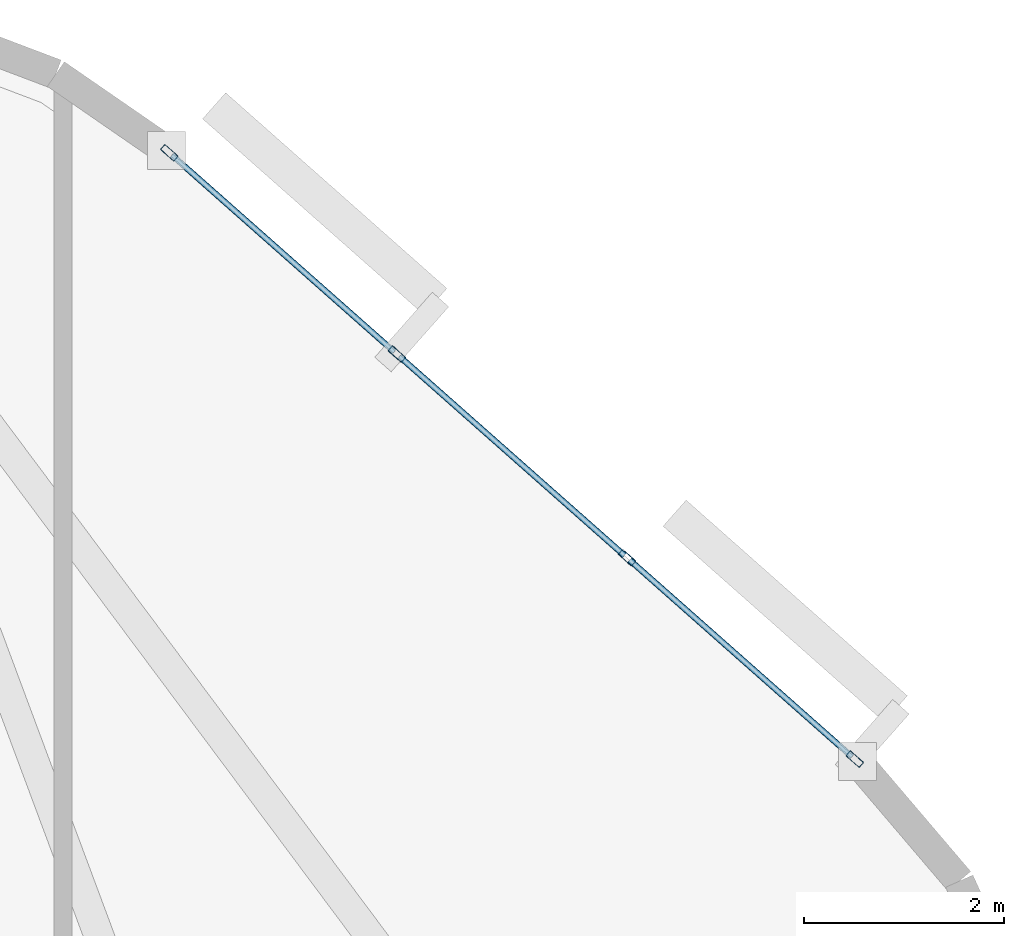
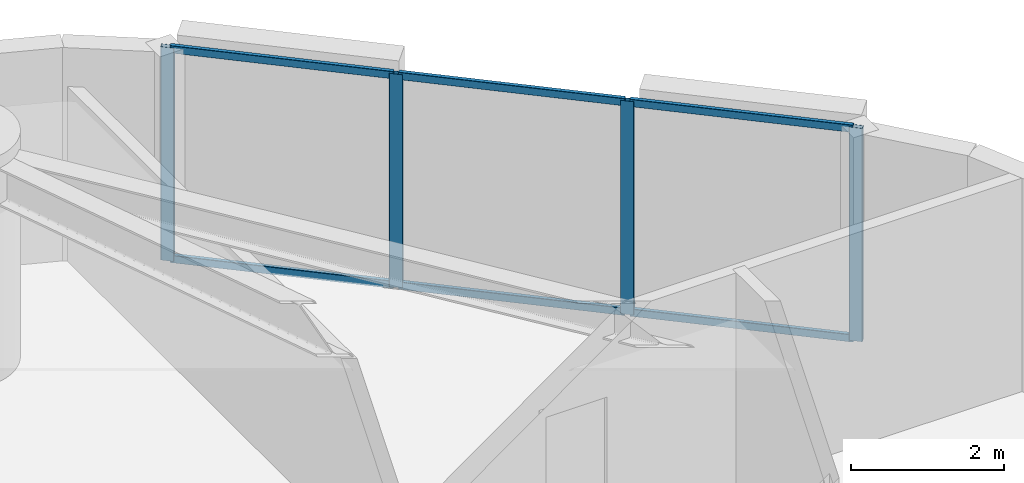
# One storey, part 8 of 16: 10 members, 1 element without a shape of its own.
"""IFC4 building model written with IfcOpenShell, lengths in metres."""

from ifc_helpers import new_model, si_unit, direction, frame, origin, origin_2d, place, context, subcontext, project, spatial, hollow_rectangle, extrude, material, layer, layer_set, material_profile, profile_set, type_object, element, aggregate, save


model = new_model("IFC4")

# Units and contexts
model_context = context("Model", 3, precision=1e-05, world=origin(), true_north=direction((0.0, 1.0)))
body_context = subcontext(model_context, "Body", "Model", "MODEL_VIEW")
ifc_project = project(units=[si_unit("LENGTHUNIT", "METRE"), si_unit("AREAUNIT", "SQUARE_METRE"), si_unit("VOLUMEUNIT", "CUBIC_METRE"), si_unit("PLANEANGLEUNIT", "RADIAN"), si_unit("MASSUNIT", "GRAM", prefix="KILO")], contexts=[model_context])

# Site, building, storey
site_placement = place(None, origin())
site = spatial("IfcSite", under=ifc_project, at=site_placement, CompositionType="ELEMENT")
building_placement = place(site_placement, origin())
building = spatial("IfcBuilding", under=site, at=building_placement, Name="An Khanh Terracotta Commons", CompositionType="ELEMENT")
storey_placement = place(building_placement, frame((0.0, 0.0, 46.800048828125)))
storey = spatial("IfcBuildingStorey", under=building, at=storey_placement, Name="L12", CompositionType="ELEMENT", Elevation=46.800048828125)

# Curtain wall, members
ifc_material = material(Name="Anodised Aluminium 6063-T6", Category="aluminium")
ifc_layer = layer(ifc_material, 0.199951171875, Name="Anodised Aluminium 6063-T6")
ifc_layer_set = layer_set([ifc_layer], Name="Anodised Aluminium 6063-T6")
curtain_wall_type = type_object("IfcCurtainWallType", Name="CW-SYS-02", PredefinedType="USERDEFINED", material=ifc_layer_set)
curtain_wall_placement = place(storey_placement, origin())
curtain_wall = element("IfcCurtainWall", 1, at=curtain_wall_placement, inside=storey, type_object=curtain_wall_type, Name="L12 CW-02 Unitised Curtain Wall CW-L12-16", ObjectType="UNITISED CURTAIN WALL", PredefinedType="USERDEFINED")
ifc_material_profile_1 = material_profile(ifc_material, hollow_rectangle(XDim=0.070068359375, YDim=0.179931640625, WallThickness=0.00390625, InnerFilletRadius=0.00390625, OuterFilletRadius=0.008056640625, at=origin_2d()), Name="RHS180x70x4")
ifc_profile_set_1 = profile_set([ifc_material_profile_1], Name="Anodised Aluminium 6063-T6")
member_type_1 = type_object("IfcMemberType", Name="CWM-RHS180x70x4", PredefinedType="MULLION", material=ifc_profile_set_1)
member_1_placement = place(storey_placement, frame((49.683837890625, 38.295166015625, 0.0), z_axis=(0.0, 0.0, 1.0), x_axis=(-0.662548195415, -0.749019284633, 0.0)))
member_1 = element("IfcMember", 2, at=member_1_placement, type_object=member_type_1, Name="CW-02 mullion 1", PredefinedType="MULLION", context=body_context, shape_type="SweptSolid", body=[
    extrude(hollow_rectangle(XDim=0.070068359375, YDim=0.179931640625, WallThickness=0.00390625, InnerFilletRadius=0.00390625, OuterFilletRadius=0.008056640625, at=origin_2d()), origin(), (0.0, 0.0, 1.0), 3.39990234375),
])
member_2_placement = place(storey_placement, frame((47.403076171875, 40.312744140625, 0.0), z_axis=(0.0, 0.0, 1.0), x_axis=(-0.662548195415, -0.749019284633, 0.0)))
member_2 = element("IfcMember", 3, at=member_2_placement, type_object=member_type_1, Name="CW-02 mullion 2", PredefinedType="MULLION", context=body_context, shape_type="SweptSolid", body=[
    extrude(hollow_rectangle(XDim=0.070068359375, YDim=0.179931640625, WallThickness=0.00390625, InnerFilletRadius=0.00390625, OuterFilletRadius=0.008056640625, at=origin_2d()), origin(), (0.0, 0.0, 1.0), 3.39990234375),
])
member_3_placement = place(storey_placement, frame((45.095947265625, 42.353271484375, 0.0), z_axis=(0.0, 0.0, 1.0), x_axis=(-0.662548195415, -0.749019284633, 0.0)))
member_3 = element("IfcMember", 4, at=member_3_placement, type_object=member_type_1, Name="CW-02 mullion 3", PredefinedType="MULLION", context=body_context, shape_type="SweptSolid", body=[
    extrude(hollow_rectangle(XDim=0.070068359375, YDim=0.179931640625, WallThickness=0.00390625, InnerFilletRadius=0.00390625, OuterFilletRadius=0.008056640625, at=origin_2d()), origin(), (0.0, 0.0, 1.0), 3.39990234375),
])
member_4_placement = place(storey_placement, frame((42.815185546875, 44.370849609375, 0.0), z_axis=(0.0, 0.0, 1.0), x_axis=(-0.662548195415, -0.749019284633, 0.0)))
member_4 = element("IfcMember", 5, at=member_4_placement, type_object=member_type_1, Name="CW-02 mullion 4", PredefinedType="MULLION", context=body_context, shape_type="SweptSolid", body=[
    extrude(hollow_rectangle(XDim=0.070068359375, YDim=0.179931640625, WallThickness=0.00390625, InnerFilletRadius=0.00390625, OuterFilletRadius=0.008056640625, at=origin_2d()), origin(), (0.0, 0.0, 1.0), 3.39990234375),
])
ifc_material_profile_2 = material_profile(ifc_material, hollow_rectangle(XDim=0.06005859375, YDim=0.1201171875, WallThickness=0.003662109375, InnerFilletRadius=0.003662109375, OuterFilletRadius=0.007080078125, at=origin_2d()), Name="RHS120x60x3.6")
ifc_profile_set_2 = profile_set([ifc_material_profile_2], Name="Anodised Aluminium 6063-T6")
member_type_2 = type_object("IfcMemberType", Name="CWT-RHS120x60x3.6", PredefinedType="USERDEFINED", material=ifc_profile_set_2)
member_5_placement = place(storey_placement, frame((49.657470703125, 38.318359375, 0.030029296875), z_axis=(-0.74899186341, 0.662579194168, 0.0), x_axis=(-0.662579194168, -0.74899186341, 0.0)))
member_5 = element("IfcMember", 6, at=member_5_placement, type_object=member_type_2, Name="CW-02 transom 1.1", ObjectType="TRANSOM", PredefinedType="USERDEFINED", context=body_context, shape_type="SweptSolid", body=[
    extrude(hollow_rectangle(XDim=0.06005859375, YDim=0.1201171875, WallThickness=0.003662109375, InnerFilletRadius=0.003662109375, OuterFilletRadius=0.007080078125, at=origin_2d()), origin(), (0.0, 0.0, 1.0), 2.97509765625),
])
member_6_placement = place(storey_placement, frame((49.657470703125, 38.318359375, 3.369873046875), z_axis=(-0.74899186341, 0.662579194168, 0.0), x_axis=(-0.662579194168, -0.74899186341, 0.0)))
member_6 = element("IfcMember", 7, at=member_6_placement, type_object=member_type_2, Name="CW-02 transom 1.2", ObjectType="TRANSOM", PredefinedType="USERDEFINED", context=body_context, shape_type="SweptSolid", body=[
    extrude(hollow_rectangle(XDim=0.06005859375, YDim=0.1201171875, WallThickness=0.003662109375, InnerFilletRadius=0.003662109375, OuterFilletRadius=0.007080078125, at=origin_2d()), origin(), (0.0, 0.0, 1.0), 2.97509765625),
])
member_7_placement = place(storey_placement, frame((47.376708984375, 40.3359375, 0.030029296875), z_axis=(-0.749018237701, 0.662549378984, 0.0), x_axis=(-0.662549378984, -0.749018237701, 0.0)))
member_7 = element("IfcMember", 8, at=member_7_placement, type_object=member_type_2, Name="CW-02 transom 2.1", ObjectType="TRANSOM", PredefinedType="USERDEFINED", context=body_context, shape_type="SweptSolid", body=[
    extrude(hollow_rectangle(XDim=0.06005859375, YDim=0.1201171875, WallThickness=0.003662109375, InnerFilletRadius=0.003662109375, OuterFilletRadius=0.007080078125, at=origin_2d()), origin(), (0.0, 0.0, 1.0), 3.009765625),
])
member_8_placement = place(storey_placement, frame((47.376708984375, 40.3359375, 3.369873046875), z_axis=(-0.749018237701, 0.662549378984, 0.0), x_axis=(-0.662549378984, -0.749018237701, 0.0)))
member_8 = element("IfcMember", 9, at=member_8_placement, type_object=member_type_2, Name="CW-02 transom 2.2", ObjectType="TRANSOM", PredefinedType="USERDEFINED", context=body_context, shape_type="SweptSolid", body=[
    extrude(hollow_rectangle(XDim=0.06005859375, YDim=0.1201171875, WallThickness=0.003662109375, InnerFilletRadius=0.003662109375, OuterFilletRadius=0.007080078125, at=origin_2d()), origin(), (0.0, 0.0, 1.0), 3.009765625),
])
member_9_placement = place(storey_placement, frame((45.06982421875, 42.37646484375, 0.030029296875), z_axis=(-0.74899186341, 0.662579194168, 0.0), x_axis=(-0.662579194168, -0.74899186341, 0.0)))
member_9 = element("IfcMember", 10, at=member_9_placement, type_object=member_type_2, Name="CW-02 transom 3.1", ObjectType="TRANSOM", PredefinedType="USERDEFINED", context=body_context, shape_type="SweptSolid", body=[
    extrude(hollow_rectangle(XDim=0.06005859375, YDim=0.1201171875, WallThickness=0.003662109375, InnerFilletRadius=0.003662109375, OuterFilletRadius=0.007080078125, at=origin_2d()), origin(), (0.0, 0.0, 1.0), 2.97509765625),
])
member_10_placement = place(storey_placement, frame((45.06982421875, 42.37646484375, 3.369873046875), z_axis=(-0.74899186341, 0.662579194168, 0.0), x_axis=(-0.662579194168, -0.74899186341, 0.0)))
member_10 = element("IfcMember", 11, at=member_10_placement, type_object=member_type_2, Name="CW-02 transom 3.2", ObjectType="TRANSOM", PredefinedType="USERDEFINED", context=body_context, shape_type="SweptSolid", body=[
    extrude(hollow_rectangle(XDim=0.06005859375, YDim=0.1201171875, WallThickness=0.003662109375, InnerFilletRadius=0.003662109375, OuterFilletRadius=0.007080078125, at=origin_2d()), origin(), (0.0, 0.0, 1.0), 2.97509765625),
])
aggregate(curtain_wall, [member_1, member_2, member_3, member_4, member_5, member_6, member_7, member_8, member_9, member_10])

save(model, "model.ifc")
